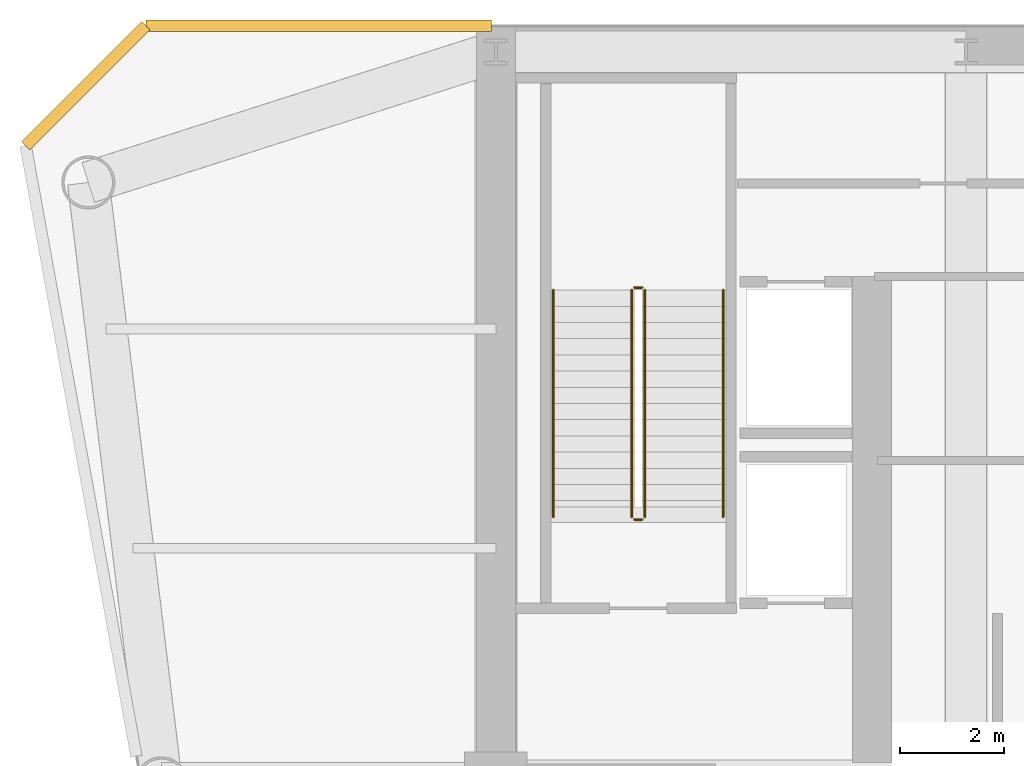
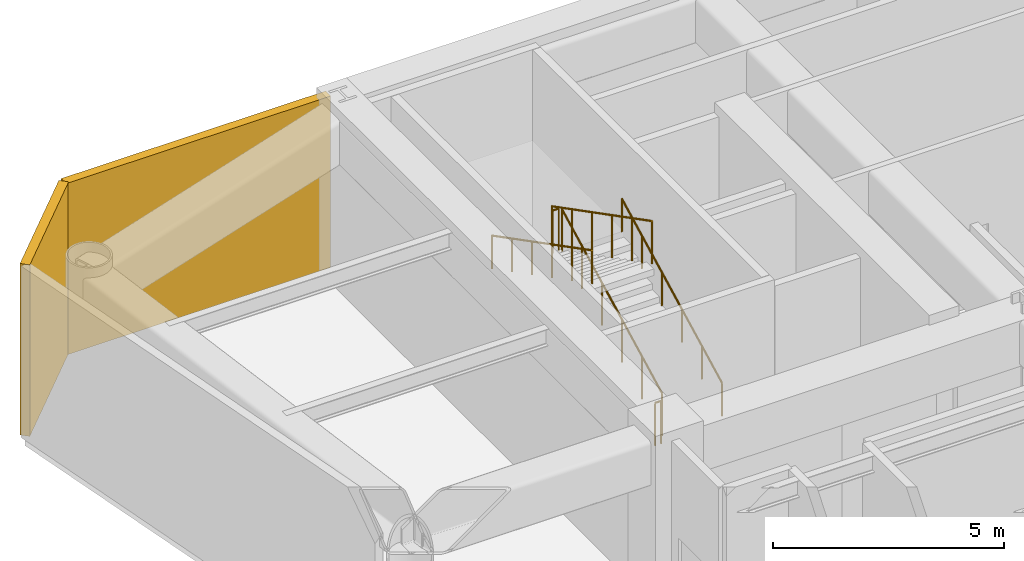
# One storey, part 9 of 10: 6 railings, 2 coverings.
"""IFC4 building model written with IfcOpenShell, lengths in metres."""

from ifc_helpers import new_model, si_unit, direction, frame, origin, origin_2d, place, context, subcontext, project, spatial, rectangle, circle, extrude, source, transform, mapped, material, layer, layer_set, type_object, element, save


model = new_model("IFC4")

# Units and contexts
model_context = context("Model", 3, precision=1e-05, world=origin(), true_north=direction((0.0, 1.0)))
body_context = subcontext(model_context, "Body", "Model", "MODEL_VIEW")
ifc_project = project(units=[si_unit("LENGTHUNIT", "METRE"), si_unit("AREAUNIT", "SQUARE_METRE"), si_unit("VOLUMEUNIT", "CUBIC_METRE"), si_unit("PLANEANGLEUNIT", "RADIAN"), si_unit("MASSUNIT", "GRAM", prefix="KILO")], contexts=[model_context])

# Site, building, storey
site_placement = place(None, origin())
site = spatial("IfcSite", under=ifc_project, at=site_placement, CompositionType="ELEMENT")
building_placement = place(site_placement, origin())
building = spatial("IfcBuilding", under=site, at=building_placement, Name="Vaeldorn Concourse Tower", CompositionType="ELEMENT")
storey_placement = place(building_placement, frame((0.0, 0.0, 149.0)))
storey = spatial("IfcBuildingStorey", under=building, at=storey_placement, Name="L38", CompositionType="ELEMENT", Elevation=149.0)

# Railings
ifc_material = material(Name="Anodised Bronze Aluminium", Category="aluminium")
railing_type_1 = type_object("IfcRailingType", Name="RL-STAIR-GUARD", PredefinedType="GUARDRAIL", material=ifc_material)
railing_1_placement = place(storey_placement, frame((16.85009765625, 41.60009765625, 0.159912109375)))
element("IfcRailing", 1, at=railing_1_placement, inside=storey, type_object=railing_type_1, Name="L38 ST-1 stair guard 1", PredefinedType="GUARDRAIL", context=body_context, shape_type="SweptSolid", body=[
    extrude(circle(Radius=0.02392578125, at=origin_2d()), frame((0.0, 0.0, 1.1259765625), z_axis=(0.0, 0.888614742027, 0.458654379956), x_axis=(-1.0, 0.0, 0.0)), (0.0, 0.0, 1.0), 4.8837890625),
    extrude(circle(Radius=0.02099609375, at=origin_2d()), origin(), (0.0, 0.0, 1.0), 1.101806640625),
    extrude(circle(Radius=0.02099609375, at=origin_2d()), frame((0.0, 0.867919921875, 0.447998046875)), (0.0, 0.0, 1.0), 1.101806640625),
    extrude(circle(Radius=0.02099609375, at=origin_2d()), frame((0.0, 1.73583984375, 0.89599609375)), (0.0, 0.0, 1.0), 1.101806640625),
    extrude(circle(Radius=0.02099609375, at=origin_2d()), frame((0.0, 2.60400390625, 1.343994140625)), (0.0, 0.0, 1.0), 1.101806640625),
    extrude(circle(Radius=0.02099609375, at=origin_2d()), frame((0.0, 3.471923828125, 1.7919921875)), (0.0, 0.0, 1.0), 1.101806640625),
    extrude(circle(Radius=0.02099609375, at=origin_2d()), frame((0.0, 4.33984375, 2.239990234375)), (0.0, 0.0, 1.0), 1.101806640625),
])
railing_2_placement = place(storey_placement, frame((16.800048828125, 45.989990234375, 2.39990234375)))
element("IfcRailing", 2, at=railing_2_placement, inside=storey, type_object=railing_type_1, Name="L38 ST-1 stair guard 2", PredefinedType="GUARDRAIL", context=body_context, shape_type="SweptSolid", body=[
    extrude(circle(Radius=0.02392578125, at=origin_2d()), frame((0.0, 0.0, 1.1259765625), z_axis=(-1.0, 0.0, 0.0), x_axis=(0.0, -1.0, 0.0)), (0.0, 0.0, 1.0), 0.150146484375),
    extrude(circle(Radius=0.02099609375, at=origin_2d()), origin(), (0.0, 0.0, 1.0), 1.101806640625),
    extrude(circle(Radius=0.02099609375, at=origin_2d()), frame((-0.150146484375, 0.0, 0.0)), (0.0, 0.0, 1.0), 1.101806640625),
])
railing_3_placement = place(storey_placement, frame((16.60009765625, 45.93994140625, 2.56005859375)))
element("IfcRailing", 3, at=railing_3_placement, inside=storey, type_object=railing_type_1, Name="L38 ST-1 stair guard 3", PredefinedType="GUARDRAIL", context=body_context, shape_type="SweptSolid", body=[
    extrude(circle(Radius=0.02392578125, at=origin_2d()), frame((0.0, 0.0, 1.1259765625), z_axis=(0.0, -0.888614742027, 0.458654379956), x_axis=(1.0, 0.0, 0.0)), (0.0, 0.0, 1.0), 4.8837890625),
    extrude(circle(Radius=0.02099609375, at=origin_2d()), origin(), (0.0, 0.0, 1.0), 1.101806640625),
    extrude(circle(Radius=0.02099609375, at=origin_2d()), frame((0.0, -0.867919921875, 0.447998046875)), (0.0, 0.0, 1.0), 1.101806640625),
    extrude(circle(Radius=0.02099609375, at=origin_2d()), frame((0.0, -1.73583984375, 0.89599609375)), (0.0, 0.0, 1.0), 1.101806640625),
    extrude(circle(Radius=0.02099609375, at=origin_2d()), frame((0.0, -2.60400390625, 1.343994140625)), (0.0, 0.0, 1.0), 1.101806640625),
    extrude(circle(Radius=0.02099609375, at=origin_2d()), frame((0.0, -3.471923828125, 1.7919921875)), (0.0, 0.0, 1.0), 1.101806640625),
    extrude(circle(Radius=0.02099609375, at=origin_2d()), frame((0.0, -4.33984375, 2.239990234375)), (0.0, 0.0, 1.0), 1.101806640625),
])
railing_4_placement = place(storey_placement, frame((16.800048828125, 41.550048828125, 0.0)))
element("IfcRailing", 4, at=railing_4_placement, inside=storey, type_object=railing_type_1, Name="L38 ST-1 stair guard 4", PredefinedType="GUARDRAIL", context=body_context, shape_type="SweptSolid", body=[
    extrude(circle(Radius=0.02392578125, at=origin_2d()), frame((0.0, 0.0, 1.1259765625), z_axis=(-1.0, 0.0, 0.0), x_axis=(0.0, -1.0, 0.0)), (0.0, 0.0, 1.0), 0.150146484375),
    extrude(circle(Radius=0.02099609375, at=origin_2d()), origin(), (0.0, 0.0, 1.0), 1.101806640625),
    extrude(circle(Radius=0.02099609375, at=origin_2d()), frame((-0.150146484375, 0.0, 0.0)), (0.0, 0.0, 1.0), 1.101806640625),
])
railing_type_2 = type_object("IfcRailingType", Name="RL-STAIR-HANDRAIL", PredefinedType="HANDRAIL", material=ifc_material)
railing_5_placement = place(storey_placement, frame((18.35009765625, 41.60009765625, 0.159912109375)))
element("IfcRailing", 5, at=railing_5_placement, inside=storey, type_object=railing_type_2, Name="L38 ST-1 stair handrail 1", PredefinedType="HANDRAIL", context=body_context, shape_type="SweptSolid", body=[
    extrude(circle(Radius=0.02392578125, at=origin_2d()), frame((0.0, 0.0, 0.8759765625), z_axis=(0.0, 0.888614742027, 0.458654379956), x_axis=(-1.0, 0.0, 0.0)), (0.0, 0.0, 1.0), 4.8837890625),
    extrude(circle(Radius=0.02099609375, at=origin_2d()), origin(), (0.0, 0.0, 1.0), 0.851806640625),
    extrude(circle(Radius=0.02099609375, at=origin_2d()), frame((0.0, 0.867919921875, 0.447998046875)), (0.0, 0.0, 1.0), 0.851806640625),
    extrude(circle(Radius=0.02099609375, at=origin_2d()), frame((0.0, 1.73583984375, 0.89599609375)), (0.0, 0.0, 1.0), 0.851806640625),
    extrude(circle(Radius=0.02099609375, at=origin_2d()), frame((0.0, 2.60400390625, 1.343994140625)), (0.0, 0.0, 1.0), 0.851806640625),
    extrude(circle(Radius=0.02099609375, at=origin_2d()), frame((0.0, 3.471923828125, 1.7919921875)), (0.0, 0.0, 1.0), 0.851806640625),
    extrude(circle(Radius=0.02099609375, at=origin_2d()), frame((0.0, 4.33984375, 2.239990234375)), (0.0, 0.0, 1.0), 0.851806640625),
])
railing_6_placement = place(storey_placement, frame((15.10009765625, 45.93994140625, 2.56005859375)))
element("IfcRailing", 6, at=railing_6_placement, inside=storey, type_object=railing_type_2, Name="L38 ST-1 stair handrail 2", PredefinedType="HANDRAIL", context=body_context, shape_type="SweptSolid", body=[
    extrude(circle(Radius=0.02392578125, at=origin_2d()), frame((0.0, 0.0, 0.8759765625), z_axis=(0.0, -0.888614742027, 0.458654379956), x_axis=(1.0, 0.0, 0.0)), (0.0, 0.0, 1.0), 4.8837890625),
    extrude(circle(Radius=0.02099609375, at=origin_2d()), origin(), (0.0, 0.0, 1.0), 0.851806640625),
    extrude(circle(Radius=0.02099609375, at=origin_2d()), frame((0.0, -0.867919921875, 0.447998046875)), (0.0, 0.0, 1.0), 0.851806640625),
    extrude(circle(Radius=0.02099609375, at=origin_2d()), frame((0.0, -1.73583984375, 0.89599609375)), (0.0, 0.0, 1.0), 0.851806640625),
    extrude(circle(Radius=0.02099609375, at=origin_2d()), frame((0.0, -2.60400390625, 1.343994140625)), (0.0, 0.0, 1.0), 0.851806640625),
    extrude(circle(Radius=0.02099609375, at=origin_2d()), frame((0.0, -3.471923828125, 1.7919921875)), (0.0, 0.0, 1.0), 0.851806640625),
    extrude(circle(Radius=0.02099609375, at=origin_2d()), frame((0.0, -4.33984375, 2.239990234375)), (0.0, 0.0, 1.0), 0.851806640625),
])

# Coverings
ifc_layer = layer(ifc_material, 1.60009765625)
ifc_layer_set = layer_set([ifc_layer], Name="Anodised Bronze Aluminium")
covering_type = type_object("IfcCoveringType", Name="SD-BRONZE-LOUVRE", PredefinedType="USERDEFINED", material=ifc_layer_set)
shared_shape_1 = source(origin(), body_context, "Body", "SweptSolid", [
    extrude(rectangle(XDim=3.252685546875, YDim=0.219970703125, at=origin_2d()), origin(), (0.0, 0.0, 1.0), 4.5400390625),
])
covering_1_placement = place(storey_placement, frame((6.14990234375, 49.85009765625, 0.0), z_axis=(0.0, 0.0, 1.0), x_axis=(-0.707106781187, -0.707106781187, 0.0)))
element("IfcCovering", 7, at=covering_1_placement, inside=storey, type_object=covering_type, Name="Refuge Band Bronze Acoustic Louvre L38-10.1", ObjectType="LOUVRE", PredefinedType="USERDEFINED", context=body_context, shape_type="MappedRepresentation", body=[
    mapped(shared_shape_1, transform((0.0, 0.0, 0.0), scale=1.0)),
])
shared_shape_2 = source(origin(), body_context, "Body", "SweptSolid", [
    extrude(rectangle(XDim=6.6201171875, YDim=0.219970703125, at=origin_2d()), origin(), (0.0, 0.0, 1.0), 4.5400390625),
])
covering_2_placement = place(storey_placement, frame((10.610107421875, 51.0, 0.0), z_axis=(0.0, 0.0, 1.0), x_axis=(-1.0, 0.0, 0.0)))
element("IfcCovering", 8, at=covering_2_placement, inside=storey, type_object=covering_type, Name="Refuge Band Bronze Acoustic Louvre L38-09.2", ObjectType="LOUVRE", PredefinedType="USERDEFINED", context=body_context, shape_type="MappedRepresentation", body=[
    mapped(shared_shape_2, transform((0.0, 0.0, 0.0), scale=1.0)),
])

save(model, "model.ifc")
